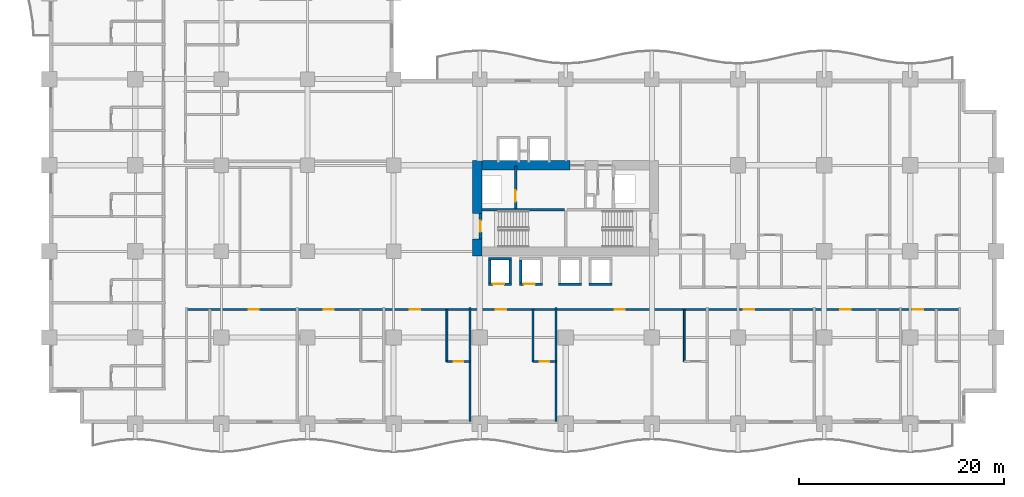
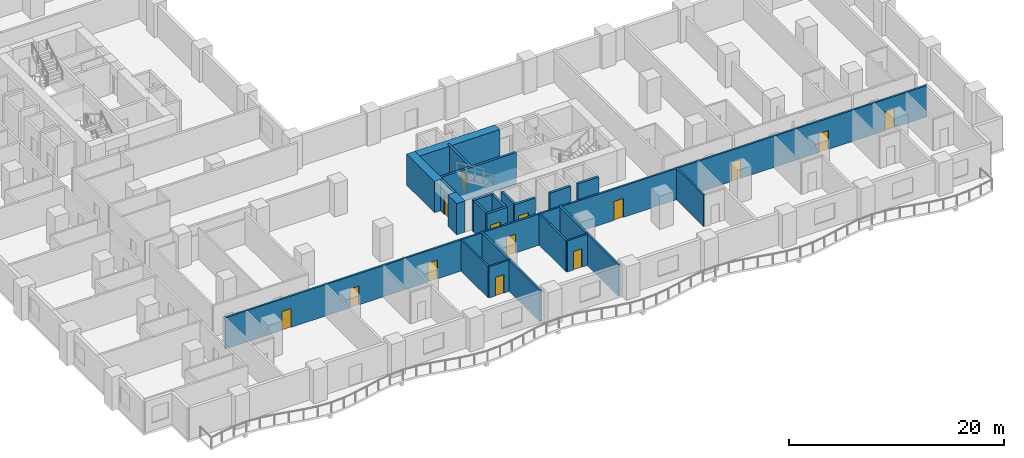
# One storey, part 9 of 23: 22 walls, 14 doors, 14 openings.
"""IFC4 building model written with IfcOpenShell, lengths in metres."""

import ifcopenshell
import ifcopenshell.guid

model = None  # the IFC model being written
_history = None  # IfcOwnerHistory: only IFC2X3 demands one
_inside = {}  # id of a spatial element -> (the spatial element, [elements in it])
_under = {}  # id of a project, library or spatial element -> (it, [spatial elements below it])
_declared = {}  # id of a project -> (the project, [libraries it declares])
_typed = {}  # id of a type object -> (the type object, [elements of that type])
_made_of = {}  # id of a material, layer set ... -> (it, [elements and type objects made of it])


def new_model(schema):
    """Start an empty IFC model of exactly this schema.

    Asked for "IFC4X3", IfcOpenShell would pick the latest addendum, in which some entities
    have other attributes; the version numbers below select the first issue.
    IFC2X3 requires an IfcOwnerHistory on every rooted entity: one is made here for all.
    """
    global model, _history
    if schema == "IFC4X3":
        model = ifcopenshell.file(schema_version=(4, 3, 0, 0))
    else:
        model = ifcopenshell.file(schema=schema)
    _inside.clear()
    _under.clear()
    _declared.clear()
    _typed.clear()
    _made_of.clear()
    _history = None
    if model.schema == "IFC2X3":
        org = make("IfcOrganization", Name="unknown")
        user = make(
            "IfcPersonAndOrganization",
            ThePerson=make("IfcPerson", FamilyName="unknown"),
            TheOrganization=org,
        )
        app = make(
            "IfcApplication",
            ApplicationDeveloper=org,
            Version="unknown",
            ApplicationFullName="unknown",
            ApplicationIdentifier="unknown",
        )
        _history = make(
            "IfcOwnerHistory",
            OwningUser=user,
            OwningApplication=app,
            ChangeAction="ADDED",
            CreationDate=0,
        )
    return model


def make(cls, **values):
    """One entity of the class cls with the attributes given. An attribute that is None is left unset."""
    return model.create_entity(
        cls, **{name: value for name, value in values.items() if value is not None}
    )


def rooted(cls, **values):
    """An entity with a GlobalId (a new one), such as an element, a storey or a relation."""
    return make(cls, GlobalId=ifcopenshell.guid.new(), OwnerHistory=_history, **values)


def si_unit(unit_type, name, prefix=None):
    """IfcSIUnit, for example si_unit("LENGTHUNIT", "METRE", prefix="MILLI")."""
    return make("IfcSIUnit", UnitType=unit_type, Prefix=prefix, Name=name)


def assignment(units):
    """IfcUnitAssignment: the units of a project."""
    return None if units is None else make("IfcUnitAssignment", Units=units)


def point(xyz):
    """IfcCartesianPoint."""
    return None if xyz is None else make("IfcCartesianPoint", Coordinates=xyz)


def direction(xyz):
    """IfcDirection."""
    return None if xyz is None else make("IfcDirection", DirectionRatios=xyz)


def frame(location, z_axis=None, x_axis=None):
    """IfcAxis2Placement3D, a coordinate frame: its origin and axes. An axis left out is left unset."""
    return make(
        "IfcAxis2Placement3D",
        Location=point(location),
        Axis=direction(z_axis),
        RefDirection=direction(x_axis),
    )


def frame_2d(location, x_axis=None):
    """IfcAxis2Placement2D, a coordinate frame in the plane: its origin and x axis."""
    return make(
        "IfcAxis2Placement2D", Location=point(location), RefDirection=direction(x_axis)
    )


def origin():
    """The frame at (0, 0, 0) with its axes left unset."""
    return frame((0.0, 0.0, 0.0))


def place(relative_to, where):
    """IfcLocalPlacement: puts the frame where relative to a parent placement (None: the world)."""
    return make(
        "IfcLocalPlacement", PlacementRelTo=relative_to, RelativePlacement=where
    )


def context(
    kind, dimensions, precision=None, world=None, true_north=None, identifier=None
):
    """IfcGeometricRepresentationContext, for example the 3D "Model" context."""
    return make(
        "IfcGeometricRepresentationContext",
        ContextIdentifier=identifier,
        ContextType=kind,
        CoordinateSpaceDimension=dimensions,
        Precision=precision,
        WorldCoordinateSystem=world,
        TrueNorth=true_north,
    )


def subcontext(parent, identifier, kind, view, scale=None):
    """IfcGeometricRepresentationSubContext, for example "Body" below "Model"."""
    return make(
        "IfcGeometricRepresentationSubContext",
        ContextIdentifier=identifier,
        ContextType=kind,
        ParentContext=parent,
        TargetScale=scale,
        TargetView=view,
    )


def project(units=None, contexts=None):
    """IfcProject with its units and contexts."""
    return rooted(
        "IfcProject",
        Name="project",
        RepresentationContexts=contexts,
        UnitsInContext=assignment(units),
    )


def spatial(cls, under=None, at=None, **own):
    """A site, building, storey or space (cls), placed at a placement, below another one or the project."""
    s = rooted(cls, ObjectPlacement=at, **own)
    if under is not None:
        _under.setdefault(under.id(), (under, []))[1].append(s)
    return s


def profile(cls, at=None, kind="AREA", **sizes):
    """A parametric profile (cls). Its sizes go by their IFC names, for example OverallWidth=200.0."""
    return make(cls, ProfileType=kind, Position=at, **sizes)


def rectangle(**sizes):
    """IfcRectangleProfileDef."""
    return profile("IfcRectangleProfileDef", **sizes)


def extrude(swept, where, along, depth):
    """IfcExtrudedAreaSolid: the profile swept, set in the frame where, extruded along a direction by depth."""
    return make(
        "IfcExtrudedAreaSolid",
        SweptArea=swept,
        Position=where,
        ExtrudedDirection=direction(along),
        Depth=depth,
    )


def shape(context_of_items, identifier, shape_type, items):
    """IfcShapeRepresentation: the items that make up one representation, for example the "Body"."""
    return make(
        "IfcShapeRepresentation",
        ContextOfItems=context_of_items,
        RepresentationIdentifier=identifier,
        RepresentationType=shape_type,
        Items=items,
    )


def material(Name=None, Category=None):
    """IfcMaterial."""
    return make("IfcMaterial", Name=Name, Category=Category)


def layer(
    of_material, thickness, ventilated=None, Name=None, Category=None, Priority=None
):
    """IfcMaterialLayer: one layer of a wall or slab, of a material (None: an air gap)."""
    return make(
        "IfcMaterialLayer",
        Material=of_material,
        LayerThickness=thickness,
        IsVentilated=ventilated,
        Name=Name,
        Category=Category,
        Priority=Priority,
    )


def layer_set(layers, Name=None):
    """IfcMaterialLayerSet."""
    return make("IfcMaterialLayerSet", MaterialLayers=layers, LayerSetName=Name)


def made_of(thing, what):
    """Note that an element or type object is made of a material, layer set ...; save() writes the relation."""
    if what is not None:
        _made_of.setdefault(what.id(), (what, []))[1].append(thing)
    return thing


def type_object(cls, material=None, **own):
    """A type object (cls), such as IfcWallType, which elements share."""
    return made_of(rooted(cls, **own), material)


def element(
    cls,
    number,
    at=None,
    inside=None,
    cuts=None,
    type_object=None,
    material=None,
    context=None,
    identifier="Body",
    shape_type=None,
    held_by="IfcProductDefinitionShape",
    body=None,
    shapes=None,
    **own,
):
    """One element of the class cls, such as IfcWall. Its Tag is "e" and its number.

    at: its placement. inside: the storey or other place that contains it. cuts: it is an
    opening in that element (IfcRelVoidsElement). A single representation is given by context,
    identifier, shape_type and body (its items); several are given by shapes. held_by: the class
    of the entity that holds the representations. save() writes the other relations.
    """
    e = rooted(cls, Tag="e%d" % number, ObjectPlacement=at, **own)
    if body is not None:
        shapes = [shape(context, identifier, shape_type, body)]
    if shapes is not None:
        e.Representation = make(held_by, Representations=shapes)
    if inside is not None:
        _inside.setdefault(inside.id(), (inside, []))[1].append(e)
    if cuts is not None:
        rooted(
            "IfcRelVoidsElement", RelatingBuildingElement=cuts, RelatedOpeningElement=e
        )
    if type_object is not None:
        _typed.setdefault(type_object.id(), (type_object, []))[1].append(e)
    return made_of(e, material)


def fill(opening, filler):
    """IfcRelFillsElement: the door or window that sits in an opening."""
    return rooted(
        "IfcRelFillsElement",
        RelatingOpeningElement=opening,
        RelatedBuildingElement=filler,
    )


def aggregate(whole, parts):
    """IfcRelAggregates: a whole, such as a stair, and the parts it consists of."""
    return rooted("IfcRelAggregates", RelatingObject=whole, RelatedObjects=parts)


def save(model, path):
    """Write the relations noted so far, then the file.

    IfcRelAggregates (storeys below a building ...), IfcRelContainedInSpatialStructure (elements
    in a storey), IfcRelDefinesByType, IfcRelAssociatesMaterial and IfcRelDeclares: one each for
    every whole, place, type object, material and project.
    """
    for whole, parts in _under.values():
        aggregate(whole, parts)
    for where, things in _inside.values():
        rooted(
            "IfcRelContainedInSpatialStructure",
            RelatedElements=things,
            RelatingStructure=where,
        )
    for kind, things in _typed.values():
        rooted("IfcRelDefinesByType", RelatedObjects=things, RelatingType=kind)
    for what, things in _made_of.values():
        rooted("IfcRelAssociatesMaterial", RelatedObjects=things, RelatingMaterial=what)
    for by, libraries in _declared.values():
        rooted("IfcRelDeclares", RelatingContext=by, RelatedDefinitions=libraries)
    model.write(path)


model = new_model("IFC4")

# Units and contexts
model_context = context("Model", 3, precision=1e-05, world=origin(), true_north=direction((0.0, 1.0)))
body_context = subcontext(model_context, "Body", "Model", "MODEL_VIEW")
ifc_project = project(units=[si_unit("LENGTHUNIT", "METRE"), si_unit("AREAUNIT", "SQUARE_METRE"), si_unit("VOLUMEUNIT", "CUBIC_METRE"), si_unit("PLANEANGLEUNIT", "RADIAN"), si_unit("MASSUNIT", "GRAM", prefix="KILO")], contexts=[model_context])

# Site, building, storey
site_placement = place(None, origin())
site = spatial("IfcSite", under=ifc_project, at=site_placement, CompositionType="ELEMENT")
building_placement = place(site_placement, origin())
building = spatial("IfcBuilding", under=site, at=building_placement, Name="Koriwani Terraces Tower", CompositionType="ELEMENT")
storey_placement = place(building_placement, frame((0.0, 0.0, 32.0)))
storey = spatial("IfcBuildingStorey", under=building, at=storey_placement, Name="L06", CompositionType="ELEMENT", Elevation=32.0)

# Walls
ifc_material_1 = material(Name="Concrete C60/75", Category="concrete")
ifc_layer_1 = layer(ifc_material_1, 0.89990234375, Name="Concrete C60/75")
ifc_layer_set_1 = layer_set([ifc_layer_1], Name="Concrete C60/75")
wall_type_1 = type_object("IfcWallType", Name="WALL_CORE_RC_900", PredefinedType="SHEAR", material=ifc_layer_set_1)
wall_1_placement = place(storey_placement, frame((41.75, 16.35009765625, 0.0), z_axis=(0.0, 0.0, 1.0), x_axis=(0.0, 1.0, 0.0)))
element("IfcWall", 1, at=wall_1_placement, inside=storey, type_object=wall_type_1, Name="L06 East Split Core Shear Wall W1", PredefinedType="SHEAR", context=body_context, shape_type="SweptSolid", body=[
    extrude(rectangle(XDim=1.64990234375, YDim=0.89990234375, at=frame_2d((0.824951171875, 0.0))), origin(), (0.0, 0.0, 1.0), 3.550048828125),
])
wall_2_placement = place(storey_placement, frame((41.75, 20.5, 0.0), z_axis=(0.0, 0.0, 1.0), x_axis=(0.0, 1.0, 0.0)))
element("IfcWall", 2, at=wall_2_placement, inside=storey, type_object=wall_type_1, Name="L06 East Split Core Shear Wall W2", PredefinedType="SHEAR", context=body_context, shape_type="SweptSolid", body=[
    extrude(rectangle(XDim=5.14990234375, YDim=0.89990234375, at=frame_2d((2.574951171875, 0.0))), origin(), (0.0, 0.0, 1.0), 3.550048828125),
])
wall_3_placement = place(storey_placement, frame((42.199951171875, 25.199951171875, 0.0), z_axis=(0.0, 0.0, 1.0), x_axis=(1.0, 0.0, 0.0)))
element("IfcWall", 3, at=wall_3_placement, inside=storey, type_object=wall_type_1, Name="L06 East Split Core Shear Wall N1", PredefinedType="SHEAR", context=body_context, shape_type="SweptSolid", body=[
    extrude(rectangle(XDim=8.60009765625, YDim=0.89990234375, at=frame_2d((4.300048828125, 0.0))), origin(), (0.0, 0.0, 1.0), 3.550048828125),
])

# Wall, openings, doors
ifc_material_2 = material(Name="Autoclaved Cellular Concrete Blockwork", Category="masonry")
ifc_layer_2 = layer(ifc_material_2, 0.199951171875, Name="Autoclaved Cellular Concrete Blockwork")
ifc_layer_set_2 = layer_set([ifc_layer_2], Name="Autoclaved Cellular Concrete Blockwork")
wall_type_2 = type_object("IfcWallType", Name="WALL_CORRIDOR_200", PredefinedType="PARTITIONING", material=ifc_layer_set_2)
wall_4_placement = place(storey_placement, frame((13.39990234375, 11.14990234375, 0.0), z_axis=(0.0, 0.0, 1.0), x_axis=(1.0, 0.0, 0.0)))
wall_4 = element("IfcWall", 4, at=wall_4_placement, inside=storey, type_object=wall_type_2, Name="L06 Interior Wall WCOR-L06-SW-0", PredefinedType="PARTITIONING", context=body_context, shape_type="SweptSolid", body=[
    extrude(rectangle(XDim=75.400146484375, YDim=0.199951171875, at=frame_2d((37.7001953125, 0.0))), origin(), (0.0, 0.0, 1.0), 3.550048828125),
])
opening_1_placement = place(wall_4_placement, frame((6.06494140625, 0.0, 0.0)))
opening_1 = element("IfcOpeningElement", 5, at=opening_1_placement, cuts=wall_4, Name="Opening D-05", PredefinedType="OPENING", context=body_context, shape_type="SweptSolid", body=[
    extrude(rectangle(XDim=1.0, YDim=2.14990234375, at=frame_2d((0.5, 1.074951171875))), frame((0.0, 0.10986328125, 0.0), z_axis=(0.0, -1.0, 0.0), x_axis=(1.0, 0.0, 0.0)), (0.0, 0.0, 1.0), 0.219970703125),
])
opening_2_placement = place(wall_4_placement, frame((13.360107421875, 0.0, 0.0)))
opening_2 = element("IfcOpeningElement", 6, at=opening_2_placement, cuts=wall_4, Name="Opening D-05", PredefinedType="OPENING", context=body_context, shape_type="SweptSolid", body=[
    extrude(rectangle(XDim=1.0, YDim=2.14990234375, at=frame_2d((0.5, 1.074951171875))), frame((0.0, 0.10986328125, 0.0), z_axis=(0.0, -1.0, 0.0), x_axis=(1.0, 0.0, 0.0)), (0.0, 0.0, 1.0), 0.219970703125),
])
opening_3_placement = place(wall_4_placement, frame((21.784912109375, 0.0, 0.0)))
opening_3 = element("IfcOpeningElement", 7, at=opening_3_placement, cuts=wall_4, Name="Opening D-05", PredefinedType="OPENING", context=body_context, shape_type="SweptSolid", body=[
    extrude(rectangle(XDim=1.0, YDim=2.14990234375, at=frame_2d((0.5, 1.074951171875))), frame((0.0, 0.10986328125, 0.0), z_axis=(0.0, -1.0, 0.0), x_axis=(1.0, 0.0, 0.0)), (0.0, 0.0, 1.0), 0.219970703125),
])
opening_4_placement = place(wall_4_placement, frame((30.18505859375, 0.0, 0.0)))
opening_4 = element("IfcOpeningElement", 8, at=opening_4_placement, cuts=wall_4, Name="Opening D-05", PredefinedType="OPENING", context=body_context, shape_type="SweptSolid", body=[
    extrude(rectangle(XDim=1.0, YDim=2.14990234375, at=frame_2d((0.5, 1.074951171875))), frame((0.0, 0.10986328125, 0.0), z_axis=(0.0, -1.0, 0.0), x_axis=(1.0, 0.0, 0.0)), (0.0, 0.0, 1.0), 0.219970703125),
])
opening_5_placement = place(wall_4_placement, frame((41.760009765625, 0.0, 0.0)))
opening_5 = element("IfcOpeningElement", 9, at=opening_5_placement, cuts=wall_4, Name="Opening D-05", PredefinedType="OPENING", context=body_context, shape_type="SweptSolid", body=[
    extrude(rectangle(XDim=1.0, YDim=2.14990234375, at=frame_2d((0.5, 1.074951171875))), frame((0.0, 0.10986328125, 0.0), z_axis=(0.0, -1.0, 0.0), x_axis=(1.0, 0.0, 0.0)), (0.0, 0.0, 1.0), 0.219970703125),
])
opening_6_placement = place(wall_4_placement, frame((54.360107421875, 0.0, 0.0)))
opening_6 = element("IfcOpeningElement", 10, at=opening_6_placement, cuts=wall_4, Name="Opening D-05", PredefinedType="OPENING", context=body_context, shape_type="SweptSolid", body=[
    extrude(rectangle(XDim=1.0, YDim=2.14990234375, at=frame_2d((0.5, 1.074951171875))), frame((0.0, 0.10986328125, 0.0), z_axis=(0.0, -1.0, 0.0), x_axis=(1.0, 0.0, 0.0)), (0.0, 0.0, 1.0), 0.219970703125),
])
opening_7_placement = place(wall_4_placement, frame((63.784912109375, 0.0, 0.0)))
opening_7 = element("IfcOpeningElement", 11, at=opening_7_placement, cuts=wall_4, Name="Opening D-05", PredefinedType="OPENING", context=body_context, shape_type="SweptSolid", body=[
    extrude(rectangle(XDim=1.0, YDim=2.14990234375, at=frame_2d((0.5, 1.074951171875))), frame((0.0, 0.10986328125, 0.0), z_axis=(0.0, -1.0, 0.0), x_axis=(1.0, 0.0, 0.0)), (0.0, 0.0, 1.0), 0.219970703125),
])
opening_8_placement = place(wall_4_placement, frame((70.860107421875, 0.0, 0.0)))
opening_8 = element("IfcOpeningElement", 12, at=opening_8_placement, cuts=wall_4, Name="Opening D-05", PredefinedType="OPENING", context=body_context, shape_type="SweptSolid", body=[
    extrude(rectangle(XDim=1.0, YDim=2.14990234375, at=frame_2d((0.5, 1.074951171875))), frame((0.0, 0.10986328125, 0.0), z_axis=(0.0, -1.0, 0.0), x_axis=(1.0, 0.0, 0.0)), (0.0, 0.0, 1.0), 0.219970703125),
])
ifc_material_3 = material(Name="Architectural Oak Fire Door", Category="wood")
door_type_1 = type_object("IfcDoorType", Name="DOOR_SUITE_ENTRY_1000X2150", OperationType="NOTDEFINED", PredefinedType="DOOR", material=ifc_material_3)
door_1_placement = place(opening_1_placement, origin())
door_1 = element("IfcDoor", 13, at=door_1_placement, inside=storey, type_object=door_type_1, Name="Luxury Hotel Suite 06SW1 Entrance Door", OperationType="SINGLE_SWING_RIGHT", OverallHeight=2.14990234375, OverallWidth=1.0, PredefinedType="DOOR", context=body_context, shape_type="SweptSolid", body=[
    extrude(rectangle(XDim=1.0, YDim=2.14990234375, at=frame_2d((0.5, 1.074951171875))), frame((0.0, 0.02490234375, 0.0), z_axis=(0.0, -1.0, 0.0), x_axis=(1.0, 0.0, 0.0)), (0.0, 0.0, 1.0), 0.050048828125),
])
fill(opening_1, door_1)
door_2_placement = place(opening_2_placement, origin())
door_2 = element("IfcDoor", 14, at=door_2_placement, inside=storey, type_object=door_type_1, Name="Luxury Hotel Suite 06SW2 Entrance Door", OperationType="SINGLE_SWING_RIGHT", OverallHeight=2.14990234375, OverallWidth=1.0, PredefinedType="DOOR", context=body_context, shape_type="SweptSolid", body=[
    extrude(rectangle(XDim=1.0, YDim=2.14990234375, at=frame_2d((0.5, 1.074951171875))), frame((0.0, 0.02490234375, 0.0), z_axis=(0.0, -1.0, 0.0), x_axis=(1.0, 0.0, 0.0)), (0.0, 0.0, 1.0), 0.050048828125),
])
fill(opening_2, door_2)
door_3_placement = place(opening_3_placement, origin())
door_3 = element("IfcDoor", 15, at=door_3_placement, inside=storey, type_object=door_type_1, Name="Luxury Hotel Suite 06SW3 Entrance Door", OperationType="SINGLE_SWING_RIGHT", OverallHeight=2.14990234375, OverallWidth=1.0, PredefinedType="DOOR", context=body_context, shape_type="SweptSolid", body=[
    extrude(rectangle(XDim=1.0, YDim=2.14990234375, at=frame_2d((0.5, 1.074951171875))), frame((0.0, 0.02490234375, 0.0), z_axis=(0.0, -1.0, 0.0), x_axis=(1.0, 0.0, 0.0)), (0.0, 0.0, 1.0), 0.050048828125),
])
fill(opening_3, door_3)
door_4_placement = place(opening_4_placement, origin())
door_4 = element("IfcDoor", 16, at=door_4_placement, inside=storey, type_object=door_type_1, Name="Luxury Hotel Suite 06SW4 Entrance Door", OperationType="SINGLE_SWING_RIGHT", OverallHeight=2.14990234375, OverallWidth=1.0, PredefinedType="DOOR", context=body_context, shape_type="SweptSolid", body=[
    extrude(rectangle(XDim=1.0, YDim=2.14990234375, at=frame_2d((0.5, 1.074951171875))), frame((0.0, 0.02490234375, 0.0), z_axis=(0.0, -1.0, 0.0), x_axis=(1.0, 0.0, 0.0)), (0.0, 0.0, 1.0), 0.050048828125),
])
fill(opening_4, door_4)
door_5_placement = place(opening_5_placement, origin())
door_5 = element("IfcDoor", 17, at=door_5_placement, inside=storey, type_object=door_type_1, Name="Luxury Hotel Suite 06SW5 Entrance Door", OperationType="SINGLE_SWING_RIGHT", OverallHeight=2.14990234375, OverallWidth=1.0, PredefinedType="DOOR", context=body_context, shape_type="SweptSolid", body=[
    extrude(rectangle(XDim=1.0, YDim=2.14990234375, at=frame_2d((0.5, 1.074951171875))), frame((0.0, 0.02490234375, 0.0), z_axis=(0.0, -1.0, 0.0), x_axis=(1.0, 0.0, 0.0)), (0.0, 0.0, 1.0), 0.050048828125),
])
fill(opening_5, door_5)
door_6_placement = place(opening_6_placement, origin())
door_6 = element("IfcDoor", 18, at=door_6_placement, inside=storey, type_object=door_type_1, Name="Luxury Hotel Suite 06SW6 Entrance Door", OperationType="SINGLE_SWING_RIGHT", OverallHeight=2.14990234375, OverallWidth=1.0, PredefinedType="DOOR", context=body_context, shape_type="SweptSolid", body=[
    extrude(rectangle(XDim=1.0, YDim=2.14990234375, at=frame_2d((0.5, 1.074951171875))), frame((0.0, 0.02490234375, 0.0), z_axis=(0.0, -1.0, 0.0), x_axis=(1.0, 0.0, 0.0)), (0.0, 0.0, 1.0), 0.050048828125),
])
fill(opening_6, door_6)
door_7_placement = place(opening_7_placement, origin())
door_7 = element("IfcDoor", 19, at=door_7_placement, inside=storey, type_object=door_type_1, Name="Luxury Hotel Suite 06SW7 Entrance Door", OperationType="SINGLE_SWING_RIGHT", OverallHeight=2.14990234375, OverallWidth=1.0, PredefinedType="DOOR", context=body_context, shape_type="SweptSolid", body=[
    extrude(rectangle(XDim=1.0, YDim=2.14990234375, at=frame_2d((0.5, 1.074951171875))), frame((0.0, 0.02490234375, 0.0), z_axis=(0.0, -1.0, 0.0), x_axis=(1.0, 0.0, 0.0)), (0.0, 0.0, 1.0), 0.050048828125),
])
fill(opening_7, door_7)
door_8_placement = place(opening_8_placement, origin())
door_8 = element("IfcDoor", 20, at=door_8_placement, inside=storey, type_object=door_type_1, Name="Hotel Guest Room 06SW8 Entrance Door", OperationType="SINGLE_SWING_RIGHT", OverallHeight=2.14990234375, OverallWidth=1.0, PredefinedType="DOOR", context=body_context, shape_type="SweptSolid", body=[
    extrude(rectangle(XDim=1.0, YDim=2.14990234375, at=frame_2d((0.5, 1.074951171875))), frame((0.0, 0.02490234375, 0.0), z_axis=(0.0, -1.0, 0.0), x_axis=(1.0, 0.0, 0.0)), (0.0, 0.0, 1.0), 0.050048828125),
])
fill(opening_8, door_8)

# Walls
ifc_layer_3 = layer(ifc_material_2, 0.219970703125, Name="Autoclaved Cellular Concrete Blockwork")
ifc_layer_set_3 = layer_set([ifc_layer_3], Name="Autoclaved Cellular Concrete Blockwork")
wall_type_3 = type_object("IfcWallType", Name="WALL_DEMISING_220", PredefinedType="PARTITIONING", material=ifc_layer_set_3)
for number, where, z_axis, x_axis, name in (
    (21, (41.050048828125, 0.199951171875, 0.0), (0.0, 0.0, 1.0), (0.0, 1.0, 0.0), "L06 Interior Wall WDEM-L06-SW-3"),
    (22, (49.449951171875, 0.199951171875, 0.0), (0.0, 0.0, 1.0), (0.0, 1.0, 0.0), "L06 Interior Wall WDEM-L06-SW-4"),
):
    element("IfcWall", number, at=place(storey_placement, frame(where, z_axis=z_axis, x_axis=x_axis)), inside=storey, type_object=wall_type_3, Name=name, PredefinedType="PARTITIONING", context=body_context, shape_type="SweptSolid", body=[
        extrude(rectangle(XDim=11.130126953125, YDim=0.219970703125, at=frame_2d((5.56494140625, 0.0))), origin(), (0.0, 0.0, 1.0), 3.550048828125),
    ])

# Wall, opening, door
ifc_material_4 = material(Name="Fire-Rated Acoustic Gypsum Partition", Category="masonry")
ifc_layer_4 = layer(ifc_material_4, 0.179931640625, Name="Fire-Rated Acoustic Gypsum Partition")
ifc_layer_set_4 = layer_set([ifc_layer_4], Name="Fire-Rated Acoustic Gypsum Partition")
wall_type_4 = type_object("IfcWallType", Name="WALL_PLUMBING_180", PredefinedType="PLUMBINGWALL", material=ifc_layer_set_4)
wall_5_placement = place(storey_placement, frame((38.800048828125, 6.050048828125, 0.0), z_axis=(0.0, 0.0, 1.0), x_axis=(1.0, 0.0, 0.0)))
wall_5 = element("IfcWall", 23, at=wall_5_placement, inside=storey, type_object=wall_type_4, Name="L06 Interior Wall WBTH1-L06-SW-2", PredefinedType="PLUMBINGWALL", context=body_context, shape_type="SweptSolid", body=[
    extrude(rectangle(XDim=2.25, YDim=0.179931640625, at=frame_2d((1.125, 0.0))), origin(), (0.0, 0.0, 1.0), 3.550048828125),
])
opening_9_placement = place(wall_5_placement, frame((0.675048828125, 0.0, 0.0)))
opening_9 = element("IfcOpeningElement", 24, at=opening_9_placement, cuts=wall_5, Name="Opening D-07", PredefinedType="OPENING", context=body_context, shape_type="SweptSolid", body=[
    extrude(rectangle(XDim=0.89990234375, YDim=2.10009765625, at=frame_2d((0.449951171875, 1.050048828125))), frame((0.0, 0.10009765625, 0.0), z_axis=(0.0, -1.0, 0.0), x_axis=(1.0, 0.0, 0.0)), (0.0, 0.0, 1.0), 0.199951171875),
])
door_type_2 = type_object("IfcDoorType", Name="DOOR_BATH_INT_900X2100", OperationType="NOTDEFINED", PredefinedType="DOOR", material=ifc_material_3)
door_9_placement = place(opening_9_placement, origin())
door_9 = element("IfcDoor", 25, at=door_9_placement, inside=storey, type_object=door_type_2, Name="En-Suite Bathroom 06SW3 Door", OperationType="SINGLE_SWING_LEFT", OverallHeight=2.10009765625, OverallWidth=0.89990234375, PredefinedType="DOOR", context=body_context, shape_type="SweptSolid", body=[
    extrude(rectangle(XDim=0.89990234375, YDim=2.10009765625, at=frame_2d((0.449951171875, 1.050048828125))), frame((0.0, 0.02490234375, 0.0), z_axis=(0.0, -1.0, 0.0), x_axis=(1.0, 0.0, 0.0)), (0.0, 0.0, 1.0), 0.050048828125),
])
fill(opening_9, door_9)

# Wall
wall_6_placement = place(storey_placement, frame((38.800048828125, 6.050048828125, 0.0), z_axis=(0.0, 0.0, 1.0), x_axis=(0.0, 1.0, 0.0)))
element("IfcWall", 26, at=wall_6_placement, inside=storey, type_object=wall_type_4, Name="L06 Interior Wall WBTH2-L06-SW-2", PredefinedType="PLUMBINGWALL", context=body_context, shape_type="SweptSolid", body=[
    extrude(rectangle(XDim=5.099853515625, YDim=0.179931640625, at=frame_2d((2.5498046875, 0.0))), origin(), (0.0, 0.0, 1.0), 3.550048828125),
])

# Wall, opening, door
wall_7_placement = place(storey_placement, frame((47.199951171875, 6.050048828125, 0.0), z_axis=(0.0, 0.0, 1.0), x_axis=(1.0, 0.0, 0.0)))
wall_7 = element("IfcWall", 27, at=wall_7_placement, inside=storey, type_object=wall_type_4, Name="L06 Interior Wall WBTH1-L06-SW-3", PredefinedType="PLUMBINGWALL", context=body_context, shape_type="SweptSolid", body=[
    extrude(rectangle(XDim=2.25, YDim=0.179931640625, at=frame_2d((1.125, 0.0))), origin(), (0.0, 0.0, 1.0), 3.550048828125),
])
opening_10_placement = place(wall_7_placement, frame((0.675048828125, 0.0, 0.0)))
opening_10 = element("IfcOpeningElement", 28, at=opening_10_placement, cuts=wall_7, Name="Opening D-07", PredefinedType="OPENING", context=body_context, shape_type="SweptSolid", body=[
    extrude(rectangle(XDim=0.89990234375, YDim=2.10009765625, at=frame_2d((0.449951171875, 1.050048828125))), frame((0.0, 0.10009765625, 0.0), z_axis=(0.0, -1.0, 0.0), x_axis=(1.0, 0.0, 0.0)), (0.0, 0.0, 1.0), 0.199951171875),
])
door_10_placement = place(opening_10_placement, origin())
door_10 = element("IfcDoor", 29, at=door_10_placement, inside=storey, type_object=door_type_2, Name="En-Suite Bathroom 06SW4 Door", OperationType="SINGLE_SWING_LEFT", OverallHeight=2.10009765625, OverallWidth=0.89990234375, PredefinedType="DOOR", context=body_context, shape_type="SweptSolid", body=[
    extrude(rectangle(XDim=0.89990234375, YDim=2.10009765625, at=frame_2d((0.449951171875, 1.050048828125))), frame((0.0, 0.02490234375, 0.0), z_axis=(0.0, -1.0, 0.0), x_axis=(1.0, 0.0, 0.0)), (0.0, 0.0, 1.0), 0.050048828125),
])
fill(opening_10, door_10)

# Walls
for number, where, z_axis, x_axis, name in (
    (30, (47.199951171875, 6.050048828125, 0.0), (0.0, 0.0, 1.0), (0.0, 1.0, 0.0), "L06 Interior Wall WBTH2-L06-SW-3"),
    (31, (61.949951171875, 6.050048828125, 0.0), (0.0, 0.0, 1.0), (0.0, 1.0, 0.0), "L06 Interior Wall WBTH2-L06-SW-4"),
):
    element("IfcWall", number, at=place(storey_placement, frame(where, z_axis=z_axis, x_axis=x_axis)), inside=storey, type_object=wall_type_4, Name=name, PredefinedType="PLUMBINGWALL", context=body_context, shape_type="SweptSolid", body=[
        extrude(rectangle(XDim=5.099853515625, YDim=0.179931640625, at=frame_2d((2.5498046875, 0.0))), origin(), (0.0, 0.0, 1.0), 3.550048828125),
    ])
ifc_material_5 = material(Name="Concrete C40/50", Category="concrete")
ifc_layer_5 = layer(ifc_material_5, 0.25, Name="Concrete C40/50")
ifc_layer_set_5 = layer_set([ifc_layer_5], Name="Concrete C40/50")
wall_type_5 = type_object("IfcWallType", Name="WALL_SHAFT_RATED_250", PredefinedType="SOLIDWALL", material=ifc_layer_set_5)
wall_8_placement = place(storey_placement, frame((42.199951171875, 20.875, 0.0), z_axis=(0.0, 0.0, 1.0), x_axis=(1.0, 0.0, 0.0)))
element("IfcWall", 32, at=wall_8_placement, inside=storey, type_object=wall_type_5, Name="L06 East Split Core Web Wall MID1", PredefinedType="SOLIDWALL", context=body_context, shape_type="SweptSolid", body=[
    extrude(rectangle(XDim=8.050048828125, YDim=0.25, at=frame_2d((4.02490234375, 0.0))), origin(), (0.0, 0.0, 1.0), 3.550048828125),
])

# Wall, opening, door
wall_9_placement = place(storey_placement, frame((42.074951171875, 18.0, 0.0), z_axis=(0.0, 0.0, 1.0), x_axis=(0.0, 1.0, 0.0)))
wall_9 = element("IfcWall", 33, at=wall_9_placement, inside=storey, type_object=wall_type_5, Name="L06 Interior Wall WIN-CE-L06-STW", PredefinedType="SOLIDWALL", context=body_context, shape_type="SweptSolid", body=[
    extrude(rectangle(XDim=2.5, YDim=0.25, at=frame_2d((1.25, 0.0))), origin(), (0.0, 0.0, 1.0), 3.550048828125),
])
opening_11_placement = place(wall_9_placement, frame((0.699951171875, 0.0, 0.0)))
opening_11 = element("IfcOpeningElement", 34, at=opening_11_placement, cuts=wall_9, Name="Opening D-03", PredefinedType="OPENING", context=body_context, shape_type="SweptSolid", body=[
    extrude(rectangle(XDim=1.10009765625, YDim=2.14990234375, at=frame_2d((0.550048828125, 1.074951171875))), frame((0.0, 0.135009765625, 0.0), z_axis=(0.0, -1.0, 0.0), x_axis=(1.0, 0.0, 0.0)), (0.0, 0.0, 1.0), 0.27001953125),
])
ifc_material_6 = material(Name="Steel ASTM A572 Grade 50", Category="steel")
door_type_3 = type_object("IfcDoorType", Name="DOOR_STAIR_FIRE_1100X2150", OperationType="NOTDEFINED", PredefinedType="DOOR", material=ifc_material_6)
door_11_placement = place(opening_11_placement, origin())
door_11 = element("IfcDoor", 35, at=door_11_placement, inside=storey, type_object=door_type_3, Name="L06 Exit Stair ST-E1 Door", OperationType="SINGLE_SWING_LEFT", OverallHeight=2.14990234375, OverallWidth=1.10009765625, PredefinedType="DOOR", context=body_context, shape_type="SweptSolid", body=[
    extrude(rectangle(XDim=1.10009765625, YDim=2.14990234375, at=frame_2d((0.550048828125, 1.074951171875))), frame((0.0, 0.02490234375, 0.0), z_axis=(0.0, -1.0, 0.0), x_axis=(1.0, 0.0, 0.0)), (0.0, 0.0, 1.0), 0.050048828125),
])
fill(opening_11, door_11)

wall_10_placement = place(storey_placement, frame((45.5, 21.0, 0.0), z_axis=(0.0, 0.0, 1.0), x_axis=(0.0, 1.0, 0.0)))
wall_10 = element("IfcWall", 36, at=wall_10_placement, inside=storey, type_object=wall_type_5, Name="L06 Interior Wall WIN-CE-L06-FE", PredefinedType="SOLIDWALL", context=body_context, shape_type="SweptSolid", body=[
    extrude(rectangle(XDim=4.14990234375, YDim=0.25, at=frame_2d((2.074951171875, 0.0))), origin(), (0.0, 0.0, 1.0), 3.550048828125),
])
opening_12_placement = place(wall_10_placement, frame((0.64990234375, 0.0, 0.0)))
opening_12 = element("IfcOpeningElement", 37, at=opening_12_placement, cuts=wall_10, Name="Opening LD-01", PredefinedType="OPENING", context=body_context, shape_type="SweptSolid", body=[
    extrude(rectangle(XDim=1.10009765625, YDim=2.14990234375, at=frame_2d((0.550048828125, 1.074951171875))), frame((0.0, 0.135009765625, 0.0), z_axis=(0.0, -1.0, 0.0), x_axis=(1.0, 0.0, 0.0)), (0.0, 0.0, 1.0), 0.27001953125),
])
door_type_4 = type_object("IfcDoorType", Name="DOOR_LIFT_LANDING_1100X2200", OperationType="NOTDEFINED", PredefinedType="DOOR", material=ifc_material_6)
door_12_placement = place(opening_12_placement, origin())
door_12 = element("IfcDoor", 38, at=door_12_placement, inside=storey, type_object=door_type_4, Name="L06 Firefighting Lift FE-02 Landing Door", OperationType="SLIDING_TO_LEFT", OverallHeight=2.14990234375, OverallWidth=1.10009765625, PredefinedType="DOOR", context=body_context, shape_type="SweptSolid", body=[
    extrude(rectangle(XDim=1.10009765625, YDim=2.14990234375, at=frame_2d((0.550048828125, 1.074951171875))), frame((0.0, 0.02490234375, 0.0), z_axis=(0.0, -1.0, 0.0), x_axis=(1.0, 0.0, 0.0)), (0.0, 0.0, 1.0), 0.050048828125),
])
fill(opening_12, door_12)

wall_11_placement = place(storey_placement, frame((42.875, 13.60009765625, 0.0), z_axis=(0.0, 0.0, 1.0), x_axis=(1.0, 0.0, 0.0)))
wall_11 = element("IfcWall", 39, at=wall_11_placement, inside=storey, type_object=wall_type_5, Name="L06 Interior Wall WIN-LF-PE-L3-L06-F", PredefinedType="SOLIDWALL", context=body_context, shape_type="SweptSolid", body=[
    extrude(rectangle(XDim=2.25, YDim=0.25, at=frame_2d((1.125, 0.0))), origin(), (0.0, 0.0, 1.0), 3.550048828125),
])
opening_13_placement = place(wall_11_placement, frame((0.39990234375, 0.0, 0.0)))
opening_13 = element("IfcOpeningElement", 40, at=opening_13_placement, cuts=wall_11, Name="Opening LD-01", PredefinedType="OPENING", context=body_context, shape_type="SweptSolid", body=[
    extrude(rectangle(XDim=1.10009765625, YDim=2.14990234375, at=frame_2d((0.550048828125, 1.074951171875))), frame((0.0, 0.135009765625, 0.0), z_axis=(0.0, -1.0, 0.0), x_axis=(1.0, 0.0, 0.0)), (0.0, 0.0, 1.0), 0.27001953125),
])
door_13_placement = place(opening_13_placement, origin())
door_13 = element("IfcDoor", 41, at=door_13_placement, inside=storey, type_object=door_type_4, Name="L06 Passenger Lift PE-L3 Landing Door", OperationType="SLIDING_TO_LEFT", OverallHeight=2.14990234375, OverallWidth=1.10009765625, PredefinedType="DOOR", context=body_context, shape_type="SweptSolid", body=[
    extrude(rectangle(XDim=1.10009765625, YDim=2.14990234375, at=frame_2d((0.550048828125, 1.074951171875))), frame((0.0, 0.02490234375, 0.0), z_axis=(0.0, -1.0, 0.0), x_axis=(1.0, 0.0, 0.0)), (0.0, 0.0, 1.0), 0.050048828125),
])
fill(opening_13, door_13)

# Walls
for number, where, z_axis, x_axis, name in (
    (42, (42.875, 16.10009765625, 0.0), (0.0, 0.0, 1.0), (1.0, 0.0, 0.0), "L06 Interior Wall WIN-LF-PE-L3-L06-B"),
    (43, (43.0, 13.72509765625, 0.0), (0.0, 0.0, 1.0), (0.0, 1.0, 0.0), "L06 Interior Wall WIN-LF-PE-L3-L06-W"),
    (44, (45.0, 13.72509765625, 0.0), (0.0, 0.0, 1.0), (0.0, 1.0, 0.0), "L06 Interior Wall WIN-LF-PE-L3-L06-E"),
):
    element("IfcWall", number, at=place(storey_placement, frame(where, z_axis=z_axis, x_axis=x_axis)), inside=storey, type_object=wall_type_5, Name=name, PredefinedType="SOLIDWALL", context=body_context, shape_type="SweptSolid", body=[
        extrude(rectangle(XDim=2.25, YDim=0.25, at=frame_2d((1.125, 0.0))), origin(), (0.0, 0.0, 1.0), 3.550048828125),
    ])

# Wall, opening, door
wall_12_placement = place(storey_placement, frame((45.875, 13.60009765625, 0.0), z_axis=(0.0, 0.0, 1.0), x_axis=(1.0, 0.0, 0.0)))
wall_12 = element("IfcWall", 45, at=wall_12_placement, inside=storey, type_object=wall_type_5, Name="L06 Interior Wall WIN-LF-PE-L4-L06-F", PredefinedType="SOLIDWALL", context=body_context, shape_type="SweptSolid", body=[
    extrude(rectangle(XDim=2.25, YDim=0.25, at=frame_2d((1.125, 0.0))), origin(), (0.0, 0.0, 1.0), 3.550048828125),
])
opening_14_placement = place(wall_12_placement, frame((0.39990234375, 0.0, 0.0)))
opening_14 = element("IfcOpeningElement", 46, at=opening_14_placement, cuts=wall_12, Name="Opening LD-01", PredefinedType="OPENING", context=body_context, shape_type="SweptSolid", body=[
    extrude(rectangle(XDim=1.10009765625, YDim=2.14990234375, at=frame_2d((0.550048828125, 1.074951171875))), frame((0.0, 0.135009765625, 0.0), z_axis=(0.0, -1.0, 0.0), x_axis=(1.0, 0.0, 0.0)), (0.0, 0.0, 1.0), 0.27001953125),
])
door_14_placement = place(opening_14_placement, origin())
door_14 = element("IfcDoor", 47, at=door_14_placement, inside=storey, type_object=door_type_4, Name="L06 Passenger Lift PE-L4 Landing Door", OperationType="SLIDING_TO_LEFT", OverallHeight=2.14990234375, OverallWidth=1.10009765625, PredefinedType="DOOR", context=body_context, shape_type="SweptSolid", body=[
    extrude(rectangle(XDim=1.10009765625, YDim=2.14990234375, at=frame_2d((0.550048828125, 1.074951171875))), frame((0.0, 0.02490234375, 0.0), z_axis=(0.0, -1.0, 0.0), x_axis=(1.0, 0.0, 0.0)), (0.0, 0.0, 1.0), 0.050048828125),
])
fill(opening_14, door_14)

# Walls
for number, where, z_axis, x_axis, name in (
    (48, (46.0, 13.72509765625, 0.0), (0.0, 0.0, 1.0), (0.0, 1.0, 0.0), "L06 Interior Wall WIN-LF-PE-L4-L06-W"),
    (49, (49.675048828125, 13.60009765625, 0.0), (0.0, 0.0, 1.0), (1.0, 0.0, 0.0), "L06 Interior Wall WIN-LF-PE-M3-L06-F"),
    (50, (52.675048828125, 13.60009765625, 0.0), (0.0, 0.0, 1.0), (1.0, 0.0, 0.0), "L06 Interior Wall WIN-LF-PE-M4-L06-F"),
):
    element("IfcWall", number, at=place(storey_placement, frame(where, z_axis=z_axis, x_axis=x_axis)), inside=storey, type_object=wall_type_5, Name=name, PredefinedType="SOLIDWALL", context=body_context, shape_type="SweptSolid", body=[
        extrude(rectangle(XDim=2.25, YDim=0.25, at=frame_2d((1.125, 0.0))), origin(), (0.0, 0.0, 1.0), 3.550048828125),
    ])

save(model, "model.ifc")
